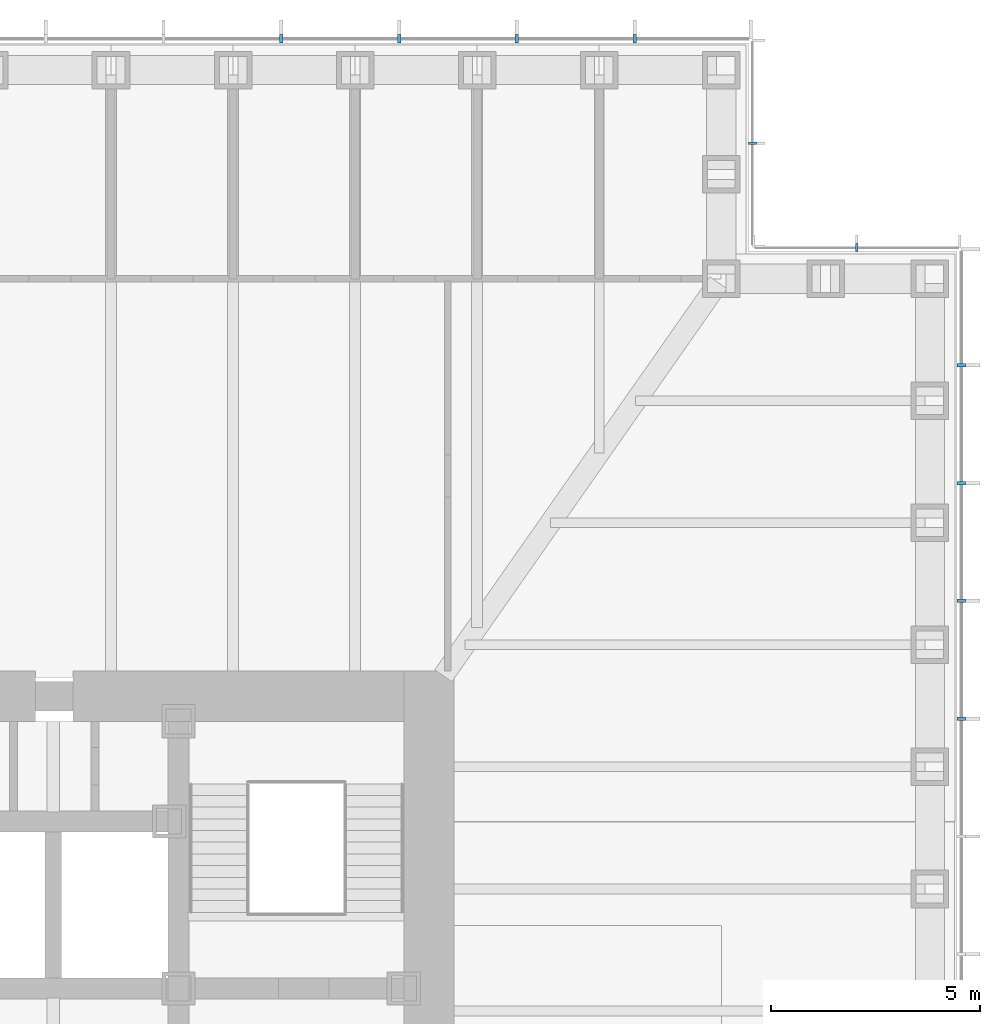
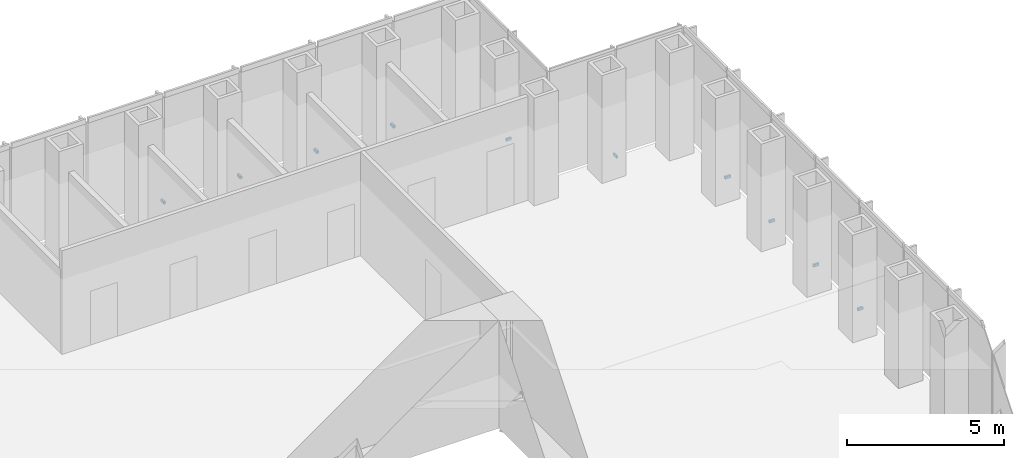
# One storey, part 15 of 16: 10 discrete accessories.
"""IFC4 building model written with IfcOpenShell, lengths in metres."""

from ifc_helpers import new_model, si_unit, direction, frame, origin, origin_2d, place, context, subcontext, project, spatial, rectangle, extrude, element, save


model = new_model("IFC4")

# Units and contexts
model_context = context("Model", 3, precision=1e-05, world=origin(), true_north=direction((0.0, 1.0)))
body_context = subcontext(model_context, "Body", "Model", "MODEL_VIEW")
ifc_project = project(units=[si_unit("LENGTHUNIT", "METRE"), si_unit("AREAUNIT", "SQUARE_METRE"), si_unit("VOLUMEUNIT", "CUBIC_METRE"), si_unit("PLANEANGLEUNIT", "RADIAN"), si_unit("MASSUNIT", "GRAM", prefix="KILO")], contexts=[model_context])

# Site, building, storey
site_placement = place(None, origin())
site = spatial("IfcSite", under=ifc_project, at=site_placement, CompositionType="ELEMENT")
building_placement = place(site_placement, origin())
building = spatial("IfcBuilding", under=site, at=building_placement, Name="Daluyong Arena Tower", CompositionType="ELEMENT")
storey_placement = place(building_placement, frame((0.0, 0.0, 93.699951171875)))
storey = spatial("IfcBuildingStorey", under=building, at=storey_placement, Name="L20", CompositionType="ELEMENT", Elevation=93.699951171875)

# Discrete accessories
for number, where, z_axis, x_axis, name in (
    (1, (80.75, 88.46435546875, -0.10009765625), (0.0, 0.0, 1.0), (0.0, 1.0, 0.0), "curtain wall L20 E anchor bracket 11"),
    (2, (80.75, 91.28564453125, -0.10009765625), (0.0, 0.0, 1.0), (0.0, 1.0, 0.0), "curtain wall L20 E anchor bracket 12"),
    (3, (80.75, 94.107177734375, -0.10009765625), (0.0, 0.0, 1.0), (0.0, 1.0, 0.0), "curtain wall L20 E anchor bracket 13"),
    (4, (80.75, 96.928466796875, -0.10009765625), (0.0, 0.0, 1.0), (0.0, 1.0, 0.0), "curtain wall L20 E anchor bracket 14"),
):
    element("IfcDiscreteAccessory", number, at=place(storey_placement, frame(where, z_axis=z_axis, x_axis=x_axis)), inside=storey, Name=name, PredefinedType="BRACKET", context=body_context, shape_type="SweptSolid", body=[
        extrude(rectangle(XDim=0.080078125, YDim=0.199951171875, at=origin_2d()), origin(), (0.0, 0.0, 1.0), 0.10009765625),
    ])
for number, where, z_axis, x_axis, name in (
    (5, (78.25, 99.75, -0.10009765625), (0.0, 0.0, 1.0), (-1.0, 0.0, 0.0), "curtain wall L20 NE-N anchor bracket 2"),
    (6, (75.75, 102.25, -0.10009765625), (0.0, 0.0, 1.0), (0.0, 1.0, 0.0), "curtain wall L20 NE-E anchor bracket 2"),
):
    element("IfcDiscreteAccessory", number, at=place(storey_placement, frame(where, z_axis=z_axis, x_axis=x_axis)), inside=storey, Name=name, PredefinedType="BRACKET", context=body_context, shape_type="SweptSolid", body=[
        extrude(rectangle(XDim=0.06005859375, YDim=0.199951171875, at=origin_2d()), origin(), (0.0, 0.0, 1.0), 0.10009765625),
    ])
for number, where, z_axis, x_axis, name in (
    (7, (72.928466796875, 104.75, -0.10009765625), (0.0, 0.0, 1.0), (-1.0, 0.0, 0.0), "curtain wall L20 N anchor bracket 2"),
    (8, (70.107177734375, 104.75, -0.10009765625), (0.0, 0.0, 1.0), (-1.0, 0.0, 0.0), "curtain wall L20 N anchor bracket 3"),
    (9, (67.28564453125, 104.75, -0.10009765625), (0.0, 0.0, 1.0), (-1.0, 0.0, 0.0), "curtain wall L20 N anchor bracket 4"),
    (10, (64.46435546875, 104.75, -0.10009765625), (0.0, 0.0, 1.0), (-1.0, 0.0, 0.0), "curtain wall L20 N anchor bracket 5"),
):
    element("IfcDiscreteAccessory", number, at=place(storey_placement, frame(where, z_axis=z_axis, x_axis=x_axis)), inside=storey, Name=name, PredefinedType="BRACKET", context=body_context, shape_type="SweptSolid", body=[
        extrude(rectangle(XDim=0.080078125, YDim=0.199951171875, at=origin_2d()), origin(), (0.0, 0.0, 1.0), 0.10009765625),
    ])

save(model, "model.ifc")
